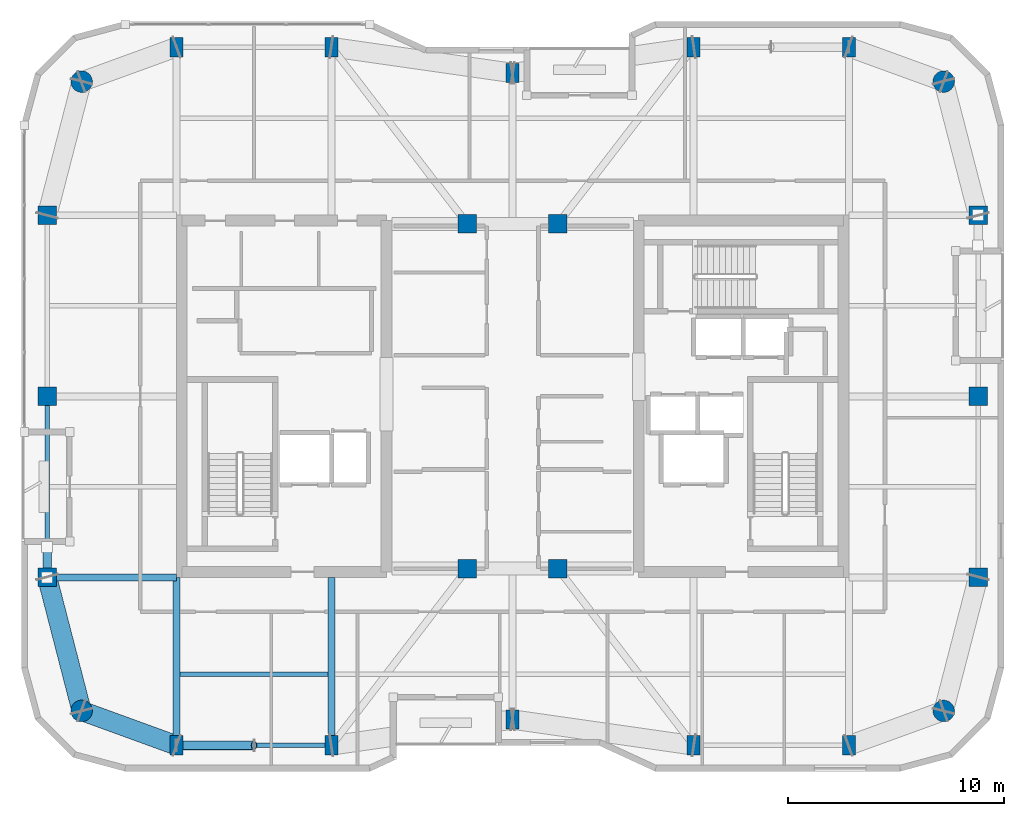
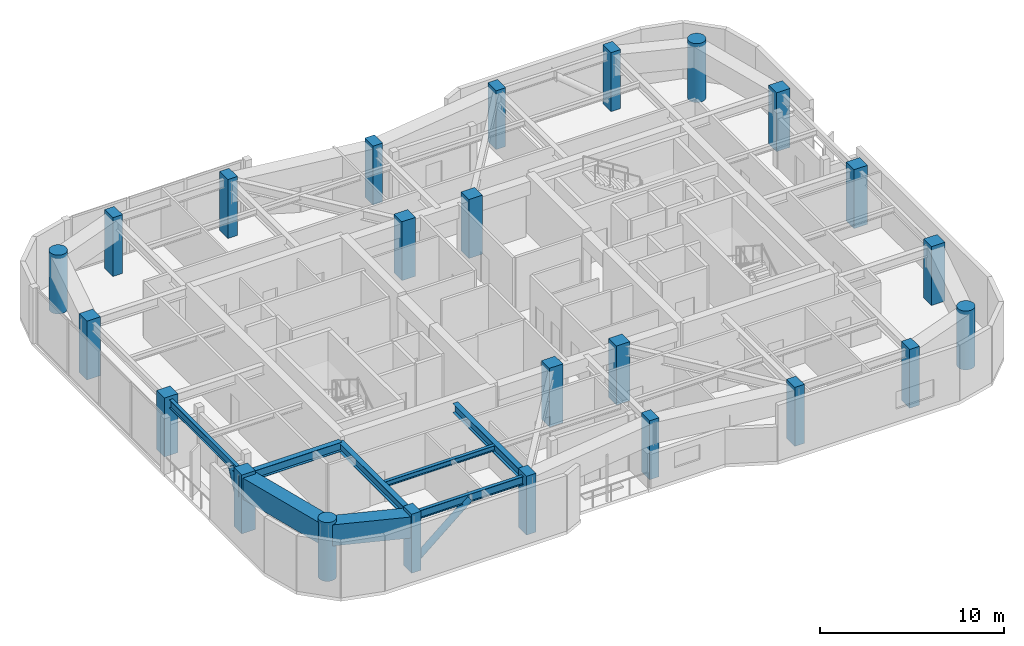
# One storey, part 1 of 15: 24 columns, 8 beams, 2 members.
"""IFC4 building model written with IfcOpenShell, lengths in metres."""

from ifc_helpers import new_model, si_unit, direction, frame, origin, origin_2d, place, context, subcontext, project, spatial, rectangle, hollow_rectangle, circle, hollow_circle, i_section, extrude, material, material_profile, profile_set, type_object, element, save


model = new_model("IFC4")

# Units and contexts
model_context = context("Model", 3, precision=1e-05, world=origin(), true_north=direction((0.0, 1.0)))
body_context = subcontext(model_context, "Body", "Model", "MODEL_VIEW")
ifc_project = project(units=[si_unit("LENGTHUNIT", "METRE"), si_unit("AREAUNIT", "SQUARE_METRE"), si_unit("VOLUMEUNIT", "CUBIC_METRE"), si_unit("PLANEANGLEUNIT", "RADIAN"), si_unit("MASSUNIT", "GRAM", prefix="KILO")], contexts=[model_context])

# Site, building, storey
site_placement = place(None, origin())
site = spatial("IfcSite", under=ifc_project, at=site_placement, CompositionType="ELEMENT")
building_placement = place(site_placement, origin())
building = spatial("IfcBuilding", under=site, at=building_placement, Name="Kiyonajd Concourse Tower", CompositionType="ELEMENT")
storey_placement = place(building_placement, frame((0.0, 0.0, 318.0)))
storey = spatial("IfcBuildingStorey", under=building, at=storey_placement, Name="L80", CompositionType="ELEMENT", Elevation=318.0)

# Columns
ifc_material_1 = material(Name="Concrete C60/75", Category="concrete")
ifc_material_profile_1 = material_profile(ifc_material_1, rectangle(XDim=0.60009765625, YDim=0.89990234375, at=origin_2d()), Name="RC-900x600")
ifc_profile_set_1 = profile_set([ifc_material_profile_1], Name="Concrete C60/75")
column_type_1 = type_object("IfcColumnType", Name="CL-BLADE-900", PredefinedType="COLUMN", material=ifc_profile_set_1)
for number, where, z_axis, x_axis, name in (
    (1, (32.39990234375, 19.800048828125, 0.0), (0.0, 0.0, 1.0), (1.0, 0.0, 0.0), "L80 Perimeter Bundled Tube Column"),
    (2, (32.39990234375, 52.199951171875, 0.0), (0.0, 0.0, 1.0), (1.0, 0.0, 0.0), "L80 Perimeter Bundled Tube Column"),
    (3, (39.60009765625, 19.800048828125, 0.0), (0.0, 0.0, 1.0), (1.0, 0.0, 0.0), "L80 Perimeter Bundled Tube Column"),
    (4, (39.60009765625, 52.199951171875, 0.0), (0.0, 0.0, 1.0), (1.0, 0.0, 0.0), "L80 Perimeter Bundled Tube Column"),
    (5, (48.0, 21.0, 0.0), (0.0, 0.0, 1.0), (1.0, 0.0, 0.0), "L80 Perimeter Bundled Tube Column"),
    (6, (48.0, 51.0, 0.0), (0.0, 0.0, 1.0), (1.0, 0.0, 0.0), "L80 Perimeter Bundled Tube Column"),
    (7, (56.39990234375, 19.800048828125, 0.0), (0.0, 0.0, 1.0), (1.0, 0.0, 0.0), "L80 Perimeter Bundled Tube Column"),
    (8, (56.39990234375, 52.199951171875, 0.0), (0.0, 0.0, 1.0), (1.0, 0.0, 0.0), "L80 Perimeter Bundled Tube Column"),
    (9, (63.60009765625, 19.800048828125, 0.0), (0.0, 0.0, 1.0), (1.0, 0.0, 0.0), "L80 Perimeter Bundled Tube Column"),
    (10, (63.60009765625, 52.199951171875, 0.0), (0.0, 0.0, 1.0), (1.0, 0.0, 0.0), "L80 Perimeter Bundled Tube Column"),
):
    element("IfcColumn", number, at=place(storey_placement, frame(where, z_axis=z_axis, x_axis=x_axis)), inside=storey, type_object=column_type_1, Name=name, PredefinedType="COLUMN", context=body_context, shape_type="SweptSolid", body=[
        extrude(rectangle(XDim=0.60009765625, YDim=0.89990234375, at=origin_2d()), origin(), (0.0, 0.0, 1.0), 3.89990234375),
    ])
ifc_material_profile_2 = material_profile(ifc_material_1, circle(Radius=0.5, at=origin_2d()), Name="RCC-D1000")
ifc_profile_set_2 = profile_set([ifc_material_profile_2], Name="Concrete C60/75")
column_type_2 = type_object("IfcColumnType", Name="CL-RND-1000", PredefinedType="COLUMN", material=ifc_profile_set_2)
for number, where, z_axis, x_axis, name in (
    (11, (28.0, 21.39990234375, 0.0), (0.0, 0.0, 1.0), (1.0, 0.0, 0.0), "L80 Bundled Tube Corner Column South West"),
    (12, (68.0, 21.39990234375, 0.0), (0.0, 0.0, 1.0), (1.0, 0.0, 0.0), "L80 Bundled Tube Corner Column South East"),
    (13, (68.0, 50.60009765625, 0.0), (0.0, 0.0, 1.0), (1.0, 0.0, 0.0), "L80 Bundled Tube Corner Column North East"),
    (14, (28.0, 50.60009765625, 0.0), (0.0, 0.0, 1.0), (1.0, 0.0, 0.0), "L80 Bundled Tube Corner Column North West"),
):
    element("IfcColumn", number, at=place(storey_placement, frame(where, z_axis=z_axis, x_axis=x_axis)), inside=storey, type_object=column_type_2, Name=name, PredefinedType="COLUMN", context=body_context, shape_type="SweptSolid", body=[
        extrude(circle(Radius=0.5, at=origin_2d()), origin(), (0.0, 0.0, 1.0), 3.89990234375),
    ])
ifc_material_profile_3 = material_profile(ifc_material_1, rectangle(XDim=0.85009765625, YDim=0.85009765625, at=origin_2d()), Name="RC-850x850")
ifc_profile_set_3 = profile_set([ifc_material_profile_3], Name="Concrete C60/75")
column_type_3 = type_object("IfcColumnType", Name="CL-TUBE-850", PredefinedType="COLUMN", material=ifc_profile_set_3)
for number, where, z_axis, x_axis, name in (
    (15, (26.39990234375, 27.60009765625, 0.0), (0.0, 0.0, 1.0), (1.0, 0.0, 0.0), "L80 Perimeter Bundled Tube Column"),
    (16, (69.60009765625, 27.60009765625, 0.0), (0.0, 0.0, 1.0), (1.0, 0.0, 0.0), "L80 Perimeter Bundled Tube Column"),
    (17, (26.39990234375, 36.0, 0.0), (0.0, 0.0, 1.0), (1.0, 0.0, 0.0), "L80 Perimeter Bundled Tube Column"),
    (18, (69.60009765625, 36.0, 0.0), (0.0, 0.0, 1.0), (1.0, 0.0, 0.0), "L80 Perimeter Bundled Tube Column"),
    (19, (26.39990234375, 44.39990234375, 0.0), (0.0, 0.0, 1.0), (1.0, 0.0, 0.0), "L80 Perimeter Bundled Tube Column"),
    (20, (69.60009765625, 44.39990234375, 0.0), (0.0, 0.0, 1.0), (1.0, 0.0, 0.0), "L80 Perimeter Bundled Tube Column"),
    (21, (45.89990234375, 28.0, 0.0), (0.0, 0.0, 1.0), (1.0, 0.0, 0.0), "L80 Core Tie Column South West"),
    (22, (50.10009765625, 28.0, 0.0), (0.0, 0.0, 1.0), (1.0, 0.0, 0.0), "L80 Core Tie Column South East"),
    (23, (45.89990234375, 44.0, 0.0), (0.0, 0.0, 1.0), (1.0, 0.0, 0.0), "L80 Core Tie Column North West"),
    (24, (50.10009765625, 44.0, 0.0), (0.0, 0.0, 1.0), (1.0, 0.0, 0.0), "L80 Core Tie Column North East"),
):
    element("IfcColumn", number, at=place(storey_placement, frame(where, z_axis=z_axis, x_axis=x_axis)), inside=storey, type_object=column_type_3, Name=name, PredefinedType="COLUMN", context=body_context, shape_type="SweptSolid", body=[
        extrude(rectangle(XDim=0.85009765625, YDim=0.85009765625, at=origin_2d()), origin(), (0.0, 0.0, 1.0), 3.89990234375),
    ])

# Beams
ifc_material_2 = material(Name="Steel ASTM A992 Grade 50", Category="steel")
ifc_material_profile_4 = material_profile(ifc_material_2, i_section(OverallWidth=0.205078125, OverallDepth=0.35400390625, WebThickness=0.009521484375, FlangeThickness=0.016845703125, at=origin_2d()), Name="W360X79")
ifc_profile_set_4 = profile_set([ifc_material_profile_4], Name="Steel ASTM A992 Grade 50")
beam_type_1 = type_object("IfcBeamType", Name="BM-JST-360", PredefinedType="JOIST", material=ifc_profile_set_4)
beam_1_placement = place(storey_placement, frame((32.56201171875, 23.10009765625, 3.5029296875), z_axis=(1.0, 0.0, 0.0), x_axis=(0.0, 1.0, 0.0)))
element("IfcBeam", 25, at=beam_1_placement, inside=storey, type_object=beam_type_1, Name="L80 Secondary Floor Joist", PredefinedType="JOIST", context=body_context, shape_type="SweptSolid", body=[
    extrude(i_section(OverallWidth=0.205078125, OverallDepth=0.35400390625, WebThickness=0.009521484375, FlangeThickness=0.016845703125, at=origin_2d()), origin(), (0.0, 0.0, 1.0), 6.8759765625),
])
ifc_material_profile_5 = material_profile(ifc_material_2, i_section(OverallWidth=0.2109375, OverallDepth=0.5390625, WebThickness=0.01171875, FlangeThickness=0.018798828125, at=origin_2d()), Name="W530X109")
ifc_profile_set_5 = profile_set([ifc_material_profile_5], Name="Steel ASTM A992 Grade 50")
beam_type_2 = type_object("IfcBeamType", Name="BM-SPAN-530B", PredefinedType="SPANDREL", material=ifc_profile_set_5)
beam_2_placement = place(storey_placement, frame((32.39990234375, 19.800048828125, 3.410400390625), z_axis=(1.0, 0.0, 0.0), x_axis=(0.0, 1.0, 0.0)))
element("IfcBeam", 26, at=beam_2_placement, inside=storey, type_object=beam_type_2, Name="L80 Perimeter Bundled Tube Spandrel", PredefinedType="SPANDREL", context=body_context, shape_type="SweptSolid", body=[
    extrude(i_section(OverallWidth=0.2109375, OverallDepth=0.5390625, WebThickness=0.01171875, FlangeThickness=0.018798828125, at=origin_2d()), origin(), (0.0, 0.0, 1.0), 7.2001953125),
])
beam_3_placement = place(storey_placement, frame((26.39990234375, 36.0, 3.410400390625), z_axis=(0.0, -1.0, 0.0), x_axis=(1.0, 0.0, 0.0)))
element("IfcBeam", 27, at=beam_3_placement, inside=storey, type_object=beam_type_2, Name="L80 Perimeter Bundled Tube Spandrel", PredefinedType="SPANDREL", context=body_context, shape_type="SweptSolid", body=[
    extrude(i_section(OverallWidth=0.2109375, OverallDepth=0.5390625, WebThickness=0.01171875, FlangeThickness=0.018798828125, at=origin_2d()), origin(), (0.0, 0.0, 1.0), 8.39990234375),
])
ifc_material_profile_6 = material_profile(ifc_material_2, i_section(OverallWidth=0.323974609375, OverallDepth=0.611083984375, WebThickness=0.0126953125, FlangeThickness=0.01904296875, at=origin_2d()), Name="W610X155")
ifc_profile_set_6 = profile_set([ifc_material_profile_6], Name="Steel ASTM A992 Grade 50")
beam_type_3 = type_object("IfcBeamType", Name="BM-TWR-610B", PredefinedType="BEAM", material=ifc_profile_set_6)
for number, where, z_axis, x_axis, name in (
    (28, (32.39990234375, 19.800048828125, 3.37451171875), (0.0, 1.0, 0.0), (-1.0, 0.0, 0.0), "L80 South Lease Girder"),
    (29, (39.60009765625, 19.800048828125, 3.37451171875), (0.0, 1.0, 0.0), (-1.0, 0.0, 0.0), "L80 South Lease Girder"),
):
    element("IfcBeam", number, at=place(storey_placement, frame(where, z_axis=z_axis, x_axis=x_axis)), inside=storey, type_object=beam_type_3, Name=name, PredefinedType="BEAM", context=body_context, shape_type="SweptSolid", body=[
        extrude(i_section(OverallWidth=0.323974609375, OverallDepth=0.611083984375, WebThickness=0.0126953125, FlangeThickness=0.01904296875, at=origin_2d()), origin(), (0.0, 0.0, 1.0), 7.800048828125),
    ])
beam_4_placement = place(storey_placement, frame((26.39990234375, 27.60009765625, 3.37451171875), z_axis=(1.0, 0.0, 0.0), x_axis=(0.0, 1.0, 0.0)))
element("IfcBeam", 30, at=beam_4_placement, inside=storey, type_object=beam_type_3, Name="L80 West Lease Girder", PredefinedType="BEAM", context=body_context, shape_type="SweptSolid", body=[
    extrude(i_section(OverallWidth=0.323974609375, OverallDepth=0.611083984375, WebThickness=0.0126953125, FlangeThickness=0.01904296875, at=origin_2d()), origin(), (0.0, 0.0, 1.0), 6.0),
])
ifc_material_3 = material(Name="Steel ASTM A572 Grade 50", Category="steel")
ifc_material_profile_7 = material_profile(ifc_material_3, hollow_rectangle(XDim=0.89990234375, YDim=1.39990234375, WallThickness=0.070068359375, at=origin_2d()), Name="BOX-1400x900x70")
ifc_profile_set_7 = profile_set([ifc_material_profile_7], Name="Steel ASTM A572 Grade 50")
beam_type_4 = type_object("IfcBeamType", Name="BM-XFER-1400", PredefinedType="BEAM", material=ifc_profile_set_7)
beam_5_placement = place(storey_placement, frame((26.39990234375, 27.60009765625, 2.97998046875), z_axis=(0.249884937687, -0.968275538221, 0.0), x_axis=(0.968275538221, 0.249884937687, 0.0)))
element("IfcBeam", 31, at=beam_5_placement, inside=storey, type_object=beam_type_4, Name="L80 Perimeter Bundled Tube Spandrel", PredefinedType="BEAM", context=body_context, shape_type="SweptSolid", body=[
    extrude(hollow_rectangle(XDim=0.89990234375, YDim=1.39990234375, WallThickness=0.070068359375, at=origin_2d()), origin(), (0.0, 0.0, 1.0), 6.4033203125),
])
beam_6_placement = place(storey_placement, frame((28.0, 21.39990234375, 2.97998046875), z_axis=(0.939801036019, -0.341722127901, 0.0), x_axis=(0.341722127901, 0.939801036019, 0.0)))
element("IfcBeam", 32, at=beam_6_placement, inside=storey, type_object=beam_type_4, Name="L80 Perimeter Bundled Tube Spandrel", PredefinedType="BEAM", context=body_context, shape_type="SweptSolid", body=[
    extrude(hollow_rectangle(XDim=0.89990234375, YDim=1.39990234375, WallThickness=0.070068359375, at=origin_2d()), origin(), (0.0, 0.0, 1.0), 4.681640625),
])

# Members
ifc_material_4 = material(Name="Steel ASTM A500 Grade C", Category="steel")
ifc_material_profile_8 = material_profile(ifc_material_4, hollow_circle(Radius=0.202880859375, WallThickness=0.01904296875, at=origin_2d()), Name="CHS-406x19")
ifc_profile_set_8 = profile_set([ifc_material_profile_8], Name="Steel ASTM A500 Grade C")
member_type = type_object("IfcMemberType", Name="MB-PB-HIGH", PredefinedType="BRACE", material=ifc_profile_set_8)
member_1_placement = place(storey_placement, frame((32.39990234375, 19.800048828125, 0.300048828125), z_axis=(0.765082043761, 0.0, 0.643932811957), x_axis=(0.0, 1.0, 0.0)))
element("IfcMember", 33, at=member_1_placement, inside=storey, type_object=member_type, Name="L80 Upper Zone Hollow Tube Brace PBS", PredefinedType="BRACE", context=body_context, shape_type="SweptSolid", body=[
    extrude(hollow_circle(Radius=0.202880859375, WallThickness=0.01904296875, at=origin_2d()), origin(), (0.0, 0.0, 1.0), 4.70556640625),
])
member_2_placement = place(storey_placement, frame((26.39990234375, 27.60009765625, 0.300048828125), z_axis=(0.0, 0.419410666774, 0.907796614114), x_axis=(-1.0, 0.0, 0.0)))
element("IfcMember", 34, at=member_2_placement, inside=storey, type_object=member_type, Name="L80 Upper Zone Hollow Tube Brace PBW", PredefinedType="BRACE", context=body_context, shape_type="SweptSolid", body=[
    extrude(hollow_circle(Radius=0.202880859375, WallThickness=0.01904296875, at=origin_2d()), origin(), (0.0, 0.0, 1.0), 3.337890625),
])

save(model, "model.ifc")
